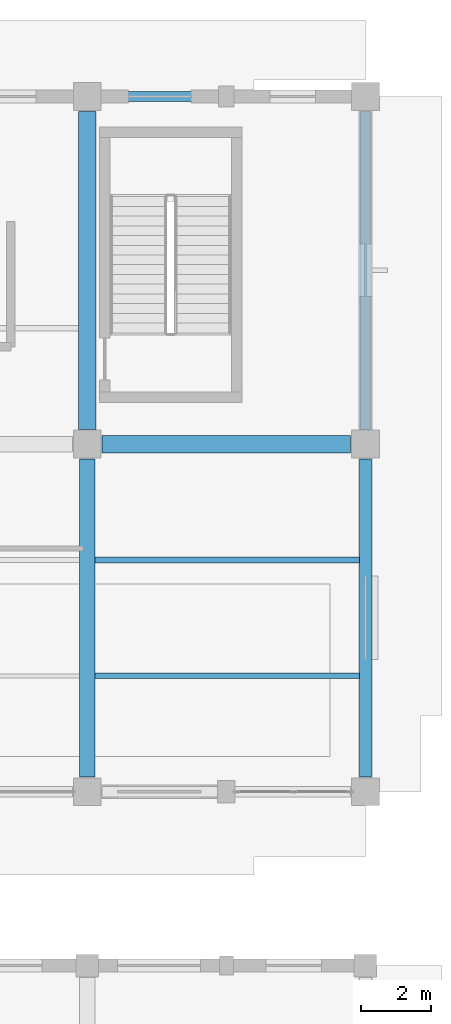
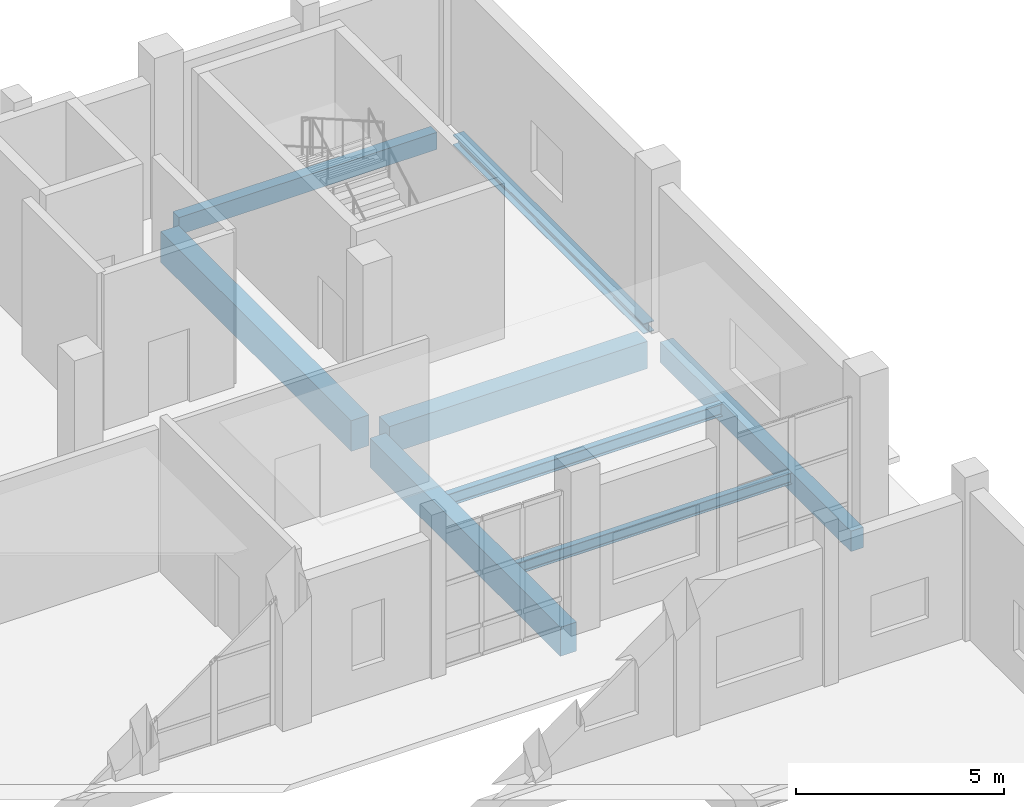
# One storey, part 101 of 156: 8 beams.
"""IFC4 building model written with IfcOpenShell, lengths in metres."""

from ifc_helpers import new_model, si_unit, direction, frame, origin, origin_2d, place, context, subcontext, project, spatial, rectangle, i_section, extrude, material, material_profile, profile_set, type_object, element, save


model = new_model("IFC4")

# Units and contexts
model_context = context("Model", 3, precision=1e-05, world=origin(), true_north=direction((0.0, 1.0)))
body_context = subcontext(model_context, "Body", "Model", "MODEL_VIEW")
ifc_project = project(units=[si_unit("LENGTHUNIT", "METRE"), si_unit("AREAUNIT", "SQUARE_METRE"), si_unit("VOLUMEUNIT", "CUBIC_METRE"), si_unit("PLANEANGLEUNIT", "RADIAN"), si_unit("MASSUNIT", "GRAM", prefix="KILO")], contexts=[model_context])

# Site, building, storey
site_placement = place(None, origin())
site = spatial("IfcSite", under=ifc_project, at=site_placement, CompositionType="ELEMENT")
building_placement = place(site_placement, origin())
building = spatial("IfcBuilding", under=site, at=building_placement, Name="Luwemba Playhouse", CompositionType="ELEMENT")
storey_placement = place(building_placement, origin())
storey = spatial("IfcBuildingStorey", under=building, at=storey_placement, Name="L00", CompositionType="ELEMENT", Elevation=0.0)

# Beams
ifc_material_1 = material(Name="Concrete C40/50", Category="concrete")
ifc_material_profile_1 = material_profile(ifc_material_1, rectangle(XDim=0.449951171875, YDim=0.85009765625, at=origin_2d()))
ifc_profile_set_1 = profile_set([ifc_material_profile_1], Name="Concrete C40/50")
beam_type_1 = type_object("IfcBeamType", Name="BM-RB05", PredefinedType="BEAM", material=ifc_profile_set_1)
beam_1_placement = place(storey_placement, frame((164.0, 95.425048828125, -0.72509765625), z_axis=(0.0, 1.0, 0.0), x_axis=(-1.0, 0.0, 0.0)))
element("IfcBeam", 1, at=beam_1_placement, inside=storey, type_object=beam_type_1, Name="L00 transverse girder 0335", PredefinedType="BEAM", context=body_context, shape_type="SweptSolid", body=[
    extrude(rectangle(XDim=0.449951171875, YDim=0.85009765625, at=origin_2d()), origin(), (0.0, 0.0, 1.0), 9.14990234375),
])
ifc_material_profile_2 = material_profile(ifc_material_1, rectangle(XDim=0.5, YDim=0.800048828125, at=origin_2d()))
ifc_profile_set_2 = profile_set([ifc_material_profile_2], Name="Concrete C40/50")
beam_type_2 = type_object("IfcBeamType", Name="BM-RB06", PredefinedType="BEAM", material=ifc_profile_set_2)
beam_2_placement = place(storey_placement, frame((164.425048828125, 105.0, -0.699951171875), z_axis=(1.0, 0.0, 0.0), x_axis=(0.0, 1.0, 0.0)))
element("IfcBeam", 2, at=beam_2_placement, inside=storey, type_object=beam_type_2, Name="L00 grid girder 0312", PredefinedType="BEAM", context=body_context, shape_type="SweptSolid", body=[
    extrude(rectangle(XDim=0.5, YDim=0.800048828125, at=origin_2d()), origin(), (0.0, 0.0, 1.0), 7.14990234375),
])
ifc_material_profile_3 = material_profile(ifc_material_1, rectangle(XDim=0.5, YDim=0.89990234375, at=origin_2d()))
ifc_profile_set_3 = profile_set([ifc_material_profile_3], Name="Concrete C40/50")
beam_type_3 = type_object("IfcBeamType", Name="BM-RB07", PredefinedType="BEAM", material=ifc_profile_set_3)
beam_3_placement = place(storey_placement, frame((164.0, 105.425048828125, -0.75), z_axis=(0.0, 1.0, 0.0), x_axis=(-1.0, 0.0, 0.0)))
element("IfcBeam", 3, at=beam_3_placement, inside=storey, type_object=beam_type_3, Name="L00 transverse girder 0336", PredefinedType="BEAM", context=body_context, shape_type="SweptSolid", body=[
    extrude(rectangle(XDim=0.5, YDim=0.89990234375, at=origin_2d()), origin(), (0.0, 0.0, 1.0), 9.14990234375),
])
ifc_material_2 = material(Name="Steel S355", Category="steel")
ifc_material_profile_4 = material_profile(ifc_material_2, i_section(OverallWidth=0.159912109375, OverallDepth=0.330078125, WebThickness=0.007568359375, FlangeThickness=0.011474609375, FilletRadius=0.01806640625, at=origin_2d()))
ifc_profile_set_4 = profile_set([ifc_material_profile_4], Name="Steel S355")
beam_type_4 = type_object("IfcBeamType", Name="BM-SJ06", PredefinedType="JOIST", material=ifc_profile_set_4)
beam_4_placement = place(storey_placement, frame((164.220947265625, 98.333251953125, -0.465087890625), z_axis=(1.0, 0.0, 0.0), x_axis=(0.0, 1.0, 0.0)))
element("IfcBeam", 4, at=beam_4_placement, inside=storey, type_object=beam_type_4, Name="L00 composite floor joist 0236", PredefinedType="JOIST", context=body_context, shape_type="SweptSolid", body=[
    extrude(i_section(OverallWidth=0.159912109375, OverallDepth=0.330078125, WebThickness=0.007568359375, FlangeThickness=0.011474609375, FilletRadius=0.01806640625, at=origin_2d()), origin(), (0.0, 0.0, 1.0), 7.608154296875),
])
ifc_material_profile_5 = material_profile(ifc_material_2, i_section(OverallWidth=0.169921875, OverallDepth=0.360107421875, WebThickness=0.008056640625, FlangeThickness=0.0126953125, FilletRadius=0.01806640625, at=origin_2d()))
ifc_profile_set_5 = profile_set([ifc_material_profile_5], Name="Steel S355")
beam_type_5 = type_object("IfcBeamType", Name="BM-SJ07", PredefinedType="JOIST", material=ifc_profile_set_5)
beam_5_placement = place(storey_placement, frame((164.220947265625, 101.666748046875, -0.47998046875), z_axis=(1.0, 0.0, 0.0), x_axis=(0.0, 1.0, 0.0)))
element("IfcBeam", 5, at=beam_5_placement, inside=storey, type_object=beam_type_5, Name="L00 composite floor joist 0237", PredefinedType="JOIST", context=body_context, shape_type="SweptSolid", body=[
    extrude(i_section(OverallWidth=0.169921875, OverallDepth=0.360107421875, WebThickness=0.008056640625, FlangeThickness=0.0126953125, FilletRadius=0.01806640625, at=origin_2d()), origin(), (0.0, 0.0, 1.0), 7.608154296875),
])
ifc_material_profile_6 = material_profile(ifc_material_1, rectangle(XDim=0.300048828125, YDim=0.5, at=origin_2d()))
ifc_profile_set_6 = profile_set([ifc_material_profile_6], Name="Concrete C40/50")
beam_type_6 = type_object("IfcBeamType", Name="BM-SP1", PredefinedType="SPANDREL", material=ifc_profile_set_6)
beam_6_placement = place(storey_placement, frame((164.425048828125, 115.0, -0.550048828125), z_axis=(1.0, 0.0, 0.0), x_axis=(0.0, 1.0, 0.0)))
element("IfcBeam", 6, at=beam_6_placement, inside=storey, type_object=beam_type_6, Name="L00 grid girder 0320", PredefinedType="SPANDREL", context=body_context, shape_type="SweptSolid", body=[
    extrude(rectangle(XDim=0.300048828125, YDim=0.5, at=origin_2d()), origin(), (0.0, 0.0, 1.0), 7.14990234375),
])
ifc_material_profile_7 = material_profile(ifc_material_1, rectangle(XDim=0.35009765625, YDim=0.60009765625, at=origin_2d()))
ifc_profile_set_7 = profile_set([ifc_material_profile_7], Name="Concrete C40/50")
beam_type_7 = type_object("IfcBeamType", Name="BM-SP3", PredefinedType="SPANDREL", material=ifc_profile_set_7)
beam_7_placement = place(storey_placement, frame((172.0, 95.425048828125, -0.60009765625), z_axis=(0.0, 1.0, 0.0), x_axis=(-1.0, 0.0, 0.0)))
element("IfcBeam", 7, at=beam_7_placement, inside=storey, type_object=beam_type_7, Name="L00 transverse girder 0337", PredefinedType="SPANDREL", context=body_context, shape_type="SweptSolid", body=[
    extrude(rectangle(XDim=0.35009765625, YDim=0.60009765625, at=origin_2d()), origin(), (0.0, 0.0, 1.0), 9.14990234375),
])
ifc_material_profile_8 = material_profile(ifc_material_2, i_section(OverallWidth=0.300048828125, OverallDepth=0.300048828125, WebThickness=0.010986328125, FlangeThickness=0.01904296875, FilletRadius=0.027099609375, at=origin_2d()))
ifc_profile_set_8 = profile_set([ifc_material_profile_8], Name="Steel S355")
beam_type_8 = type_object("IfcBeamType", Name="BM-SSP1", PredefinedType="SPANDREL", material=ifc_profile_set_8)
beam_8_placement = place(storey_placement, frame((172.0, 105.425048828125, -0.449951171875), z_axis=(0.0, 1.0, 0.0), x_axis=(-1.0, 0.0, 0.0)))
element("IfcBeam", 8, at=beam_8_placement, inside=storey, type_object=beam_type_8, Name="L00 transverse girder 0338", PredefinedType="SPANDREL", context=body_context, shape_type="SweptSolid", body=[
    extrude(i_section(OverallWidth=0.300048828125, OverallDepth=0.300048828125, WebThickness=0.010986328125, FlangeThickness=0.01904296875, FilletRadius=0.027099609375, at=origin_2d()), origin(), (0.0, 0.0, 1.0), 9.14990234375),
])

save(model, "model.ifc")
